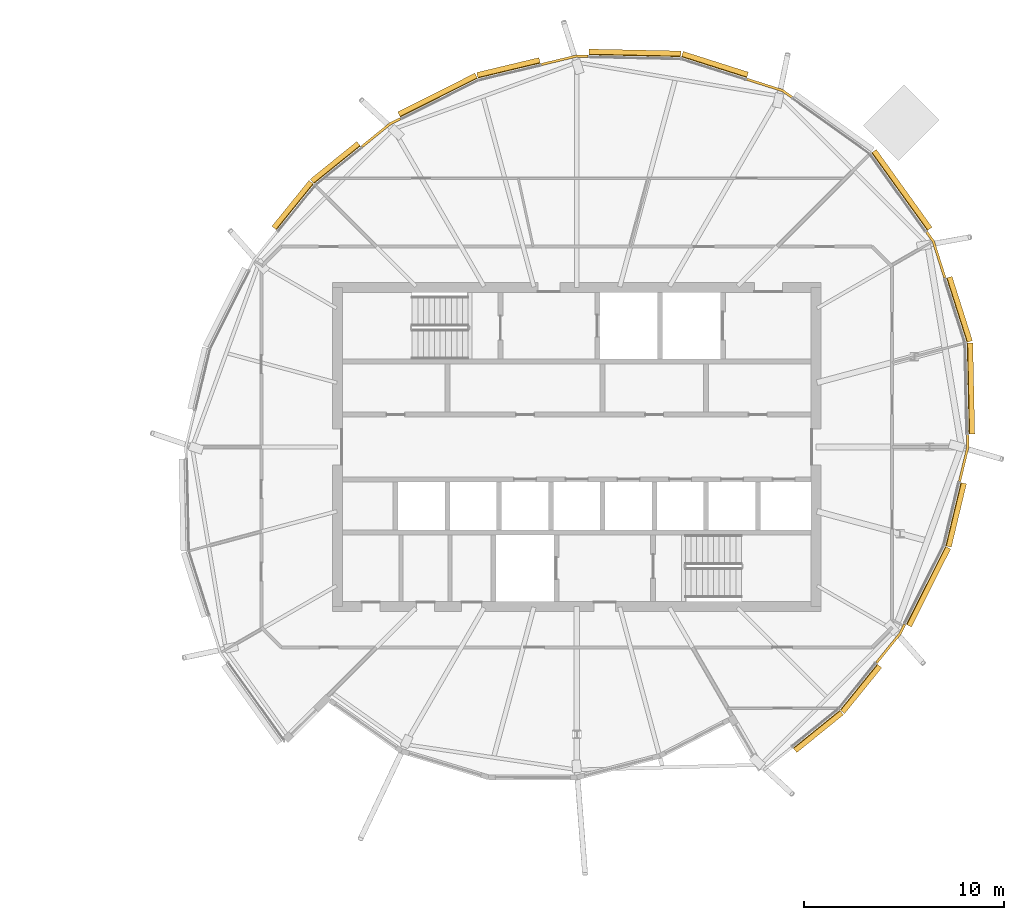
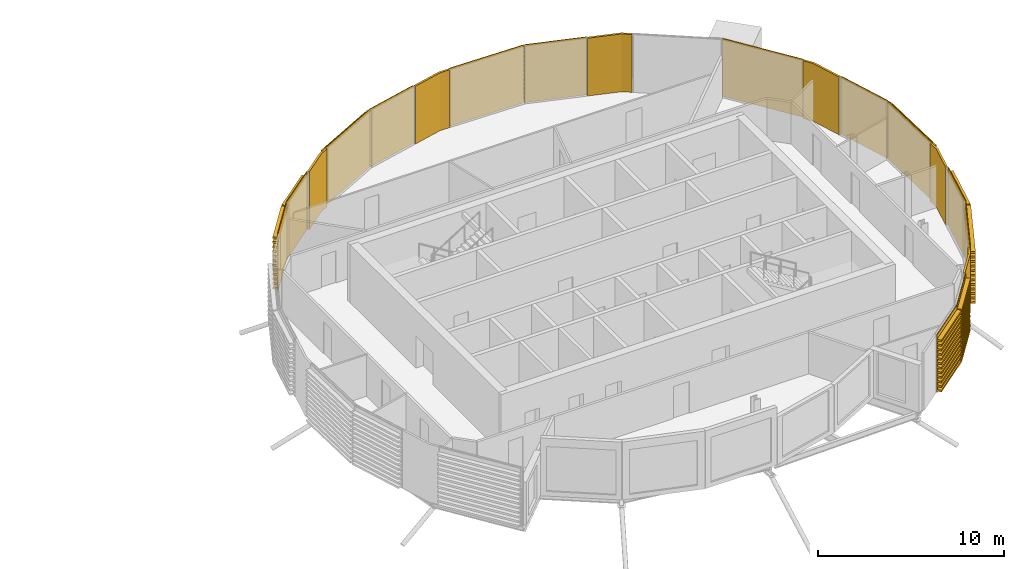
# One storey, part 34 of 35: 19 coverings.
"""IFC4 building model written with IfcOpenShell, lengths in metres."""

from ifc_helpers import new_model, si_unit, direction, frame, origin, place, context, subcontext, project, spatial, polyline, outline, extrude, material, layer, layer_set, material_profile, profile_set, type_object, element, save


model = new_model("IFC4")

# Units and contexts
model_context = context("Model", 3, precision=1e-05, world=origin(), true_north=direction((0.0, 1.0)))
body_context = subcontext(model_context, "Body", "Model", "MODEL_VIEW")
ifc_project = project(units=[si_unit("LENGTHUNIT", "METRE"), si_unit("AREAUNIT", "SQUARE_METRE"), si_unit("VOLUMEUNIT", "CUBIC_METRE"), si_unit("PLANEANGLEUNIT", "RADIAN"), si_unit("MASSUNIT", "GRAM", prefix="KILO")], contexts=[model_context])

# Site, building, storey
site_placement = place(None, origin())
site = spatial("IfcSite", under=ifc_project, at=site_placement, CompositionType="ELEMENT")
building_placement = place(site_placement, origin())
building = spatial("IfcBuilding", under=site, at=building_placement, Name="Rimbun Link Towers", CompositionType="ELEMENT")
storey_placement = place(building_placement, frame((0.0, 0.0, 225.699951171875)))
storey = spatial("IfcBuildingStorey", under=building, at=storey_placement, Name="L55", CompositionType="ELEMENT", Elevation=225.699951171875)

# Coverings
ifc_material_1 = material(Name="Terracotta", Category="masonry")
ifc_layer = layer(ifc_material_1, 0.1201171875)
ifc_layer_set = layer_set([ifc_layer], Name="LINK PIER terracotta cladding 120")
covering_type_1 = type_object("IfcCoveringType", Name="LINK PIER terracotta cladding 120", PredefinedType="CLADDING", material=ifc_layer_set)
covering_1_placement = place(storey_placement, origin())
element("IfcCovering", 1, at=covering_1_placement, inside=storey, type_object=covering_type_1, Name="LINK PIER cladding", PredefinedType="CLADDING", context=body_context, shape_type="SweptSolid", body=[
    extrude(outline(polyline([(40.251953125, 18.37939453125), (42.0341796875, 17.8125), (42.497314453125, 17.480224609375), (42.567138671875, 17.577880859375), (42.088623046875, 17.921142578125), (40.288330078125, 18.49365234375), (40.251953125, 18.37939453125)])), origin(), (0.0, 0.0, 1.0), 3.800048828125),
])
covering_2_placement = place(storey_placement, origin())
element("IfcCovering", 2, at=covering_2_placement, inside=storey, type_object=covering_type_1, Name="LINK PIER cladding", PredefinedType="CLADDING", context=body_context, shape_type="SweptSolid", body=[
    extrude(outline(polyline([(29.97998046875, 19.114013671875), (31.75, 19.537353515625), (32.31982421875, 19.525390625), (32.322509765625, 19.645263671875), (31.737060546875, 19.65771484375), (29.951904296875, 19.230712890625), (29.97998046875, 19.114013671875)])), origin(), (0.0, 0.0, 1.0), 3.800048828125),
])
covering_3_placement = place(storey_placement, origin())
element("IfcCovering", 3, at=covering_3_placement, inside=storey, type_object=covering_type_1, Name="LINK PIER cladding", PredefinedType="CLADDING", context=body_context, shape_type="SweptSolid", body=[
    extrude(outline(polyline([(21.01171875, 15.00390625), (22.42626953125, 16.149169921875), (22.935791015625, 16.40478515625), (22.8818359375, 16.51220703125), (22.36083984375, 16.25048828125), (20.936279296875, 15.097412109375), (21.01171875, 15.00390625)])), origin(), (0.0, 0.0, 1.0), 3.800048828125),
])
covering_4_placement = place(storey_placement, origin())
element("IfcCovering", 4, at=covering_4_placement, inside=storey, type_object=covering_type_1, Name="LINK PIER cladding", PredefinedType="CLADDING", context=body_context, shape_type="SweptSolid", body=[
    extrude(outline(polyline([(48.132568359375, -8.85888671875), (47.899169921875, -9.32373046875), (46.72265625, -10.777099609375), (46.81591796875, -10.852783203125), (48.00048828125, -9.38916015625), (48.23974609375, -8.912841796875), (48.132568359375, -8.85888671875)])), origin(), (0.0, 0.0, 1.0), 3.800048828125),
])
covering_5_placement = place(storey_placement, origin())
element("IfcCovering", 5, at=covering_5_placement, inside=storey, type_object=covering_type_1, Name="LINK PIER cladding", PredefinedType="CLADDING", context=body_context, shape_type="SweptSolid", body=[
    extrude(outline(polyline([(51.274169921875, 0.619873046875), (51.287353515625, 0.0), (50.87548828125, -1.721435546875), (50.9921875, -1.749267578125), (51.40771484375, -0.012939453125), (51.394287109375, 0.622314453125), (51.274169921875, 0.619873046875)])), origin(), (0.0, 0.0, 1.0), 3.800048828125),
])
covering_6_placement = place(storey_placement, origin())
element("IfcCovering", 6, at=covering_6_placement, inside=storey, type_object=covering_type_1, Name="LINK PIER cladding", PredefinedType="CLADDING", context=body_context, shape_type="SweptSolid", body=[
    extrude(outline(polyline([(49.230224609375, 10.747314453125), (49.5625, 10.2841796875), (50.14453125, 8.454345703125), (50.2587890625, 8.49072265625), (49.671142578125, 10.338623046875), (49.327880859375, 10.817138671875), (49.230224609375, 10.747314453125)])), origin(), (0.0, 0.0, 1.0), 3.800048828125),
])
ifc_material_2 = material(Name="Terracotta", Category="masonry")
ifc_material_profile = material_profile(ifc_material_2, outline(polyline([(0.123046875, 0.0), (0.1630859375, 0.0), (0.1630859375, 0.10009765625), (0.423095703125, 0.10009765625), (0.423095703125, 0.219970703125), (0.1630859375, 0.219970703125), (0.1630859375, 0.39990234375), (0.423095703125, 0.39990234375), (0.423095703125, 0.52001953125), (0.1630859375, 0.52001953125), (0.1630859375, 0.699951171875), (0.423095703125, 0.699951171875), (0.423095703125, 0.820068359375), (0.1630859375, 0.820068359375), (0.1630859375, 1.0), (0.423095703125, 1.0), (0.423095703125, 1.1201171875), (0.1630859375, 1.1201171875), (0.1630859375, 1.300048828125), (0.423095703125, 1.300048828125), (0.423095703125, 1.419921875), (0.1630859375, 1.419921875), (0.1630859375, 1.60009765625), (0.423095703125, 1.60009765625), (0.423095703125, 1.719970703125), (0.1630859375, 1.719970703125), (0.1630859375, 1.89990234375), (0.423095703125, 1.89990234375), (0.423095703125, 2.02001953125), (0.1630859375, 2.02001953125), (0.1630859375, 2.199951171875), (0.423095703125, 2.199951171875), (0.423095703125, 2.320068359375), (0.1630859375, 2.320068359375), (0.1630859375, 2.5), (0.423095703125, 2.5), (0.423095703125, 2.6201171875), (0.1630859375, 2.6201171875), (0.1630859375, 2.800048828125), (0.423095703125, 2.800048828125), (0.423095703125, 2.919921875), (0.1630859375, 2.919921875), (0.1630859375, 3.10009765625), (0.423095703125, 3.10009765625), (0.423095703125, 3.219970703125), (0.1630859375, 3.219970703125), (0.1630859375, 3.39990234375), (0.423095703125, 3.39990234375), (0.423095703125, 3.52001953125), (0.1630859375, 3.52001953125), (0.1630859375, 3.800048828125), (0.123046875, 3.800048828125), (0.123046875, 0.0)])), Name="BAGUETTE 120X300")
ifc_profile_set = profile_set([ifc_material_profile], Name="Terracotta")
covering_type_2 = type_object("IfcCoveringType", Name="TERRACOTTA BAGUETTE 120X300 H3800", PredefinedType="CLADDING", material=ifc_profile_set)
covering_7_placement = place(storey_placement, frame((36.95556640625, 19.427490234375, 0.0), z_axis=(0.952984670658, -0.303018510147, 0.0), x_axis=(0.303018510147, 0.952984670658, 0.0)))
element("IfcCovering", 7, at=covering_7_placement, inside=storey, type_object=covering_type_2, Name="TERRACOTTA BAGUETTE", PredefinedType="CLADDING", context=body_context, shape_type="SweptSolid", body=[
    extrude(outline(polyline([(0.123046875, 0.0), (0.1630859375, 0.0), (0.1630859375, 0.10009765625), (0.423095703125, 0.10009765625), (0.423095703125, 0.219970703125), (0.1630859375, 0.219970703125), (0.1630859375, 0.39990234375), (0.423095703125, 0.39990234375), (0.423095703125, 0.52001953125), (0.1630859375, 0.52001953125), (0.1630859375, 0.699951171875), (0.423095703125, 0.699951171875), (0.423095703125, 0.820068359375), (0.1630859375, 0.820068359375), (0.1630859375, 1.0), (0.423095703125, 1.0), (0.423095703125, 1.1201171875), (0.1630859375, 1.1201171875), (0.1630859375, 1.300048828125), (0.423095703125, 1.300048828125), (0.423095703125, 1.419921875), (0.1630859375, 1.419921875), (0.1630859375, 1.60009765625), (0.423095703125, 1.60009765625), (0.423095703125, 1.719970703125), (0.1630859375, 1.719970703125), (0.1630859375, 1.89990234375), (0.423095703125, 1.89990234375), (0.423095703125, 2.02001953125), (0.1630859375, 2.02001953125), (0.1630859375, 2.199951171875), (0.423095703125, 2.199951171875), (0.423095703125, 2.320068359375), (0.1630859375, 2.320068359375), (0.1630859375, 2.5), (0.423095703125, 2.5), (0.423095703125, 2.6201171875), (0.1630859375, 2.6201171875), (0.1630859375, 2.800048828125), (0.423095703125, 2.800048828125), (0.423095703125, 2.919921875), (0.1630859375, 2.919921875), (0.1630859375, 3.10009765625), (0.423095703125, 3.10009765625), (0.423095703125, 3.219970703125), (0.1630859375, 3.219970703125), (0.1630859375, 3.39990234375), (0.423095703125, 3.39990234375), (0.423095703125, 3.52001953125), (0.1630859375, 3.52001953125), (0.1630859375, 3.800048828125), (0.123046875, 3.800048828125), (0.123046875, 0.0)])), origin(), (0.0, 0.0, 1.0), 3.428955078125),
])
covering_8_placement = place(storey_placement, frame((32.349853515625, 19.524658203125, 0.0), z_axis=(0.999777526861, -0.021092576501, 0.0), x_axis=(0.021092576501, 0.999777526861, 0.0)))
element("IfcCovering", 8, at=covering_8_placement, inside=storey, type_object=covering_type_2, Name="TERRACOTTA BAGUETTE", PredefinedType="CLADDING", context=body_context, shape_type="SweptSolid", body=[
    extrude(outline(polyline([(0.123046875, 0.0), (0.1630859375, 0.0), (0.1630859375, 0.10009765625), (0.423095703125, 0.10009765625), (0.423095703125, 0.219970703125), (0.1630859375, 0.219970703125), (0.1630859375, 0.39990234375), (0.423095703125, 0.39990234375), (0.423095703125, 0.52001953125), (0.1630859375, 0.52001953125), (0.1630859375, 0.699951171875), (0.423095703125, 0.699951171875), (0.423095703125, 0.820068359375), (0.1630859375, 0.820068359375), (0.1630859375, 1.0), (0.423095703125, 1.0), (0.423095703125, 1.1201171875), (0.1630859375, 1.1201171875), (0.1630859375, 1.300048828125), (0.423095703125, 1.300048828125), (0.423095703125, 1.419921875), (0.1630859375, 1.419921875), (0.1630859375, 1.60009765625), (0.423095703125, 1.60009765625), (0.423095703125, 1.719970703125), (0.1630859375, 1.719970703125), (0.1630859375, 1.89990234375), (0.423095703125, 1.89990234375), (0.423095703125, 2.02001953125), (0.1630859375, 2.02001953125), (0.1630859375, 2.199951171875), (0.423095703125, 2.199951171875), (0.423095703125, 2.320068359375), (0.1630859375, 2.320068359375), (0.1630859375, 2.5), (0.423095703125, 2.5), (0.423095703125, 2.6201171875), (0.1630859375, 2.6201171875), (0.1630859375, 2.800048828125), (0.423095703125, 2.800048828125), (0.423095703125, 2.919921875), (0.1630859375, 2.919921875), (0.1630859375, 3.10009765625), (0.423095703125, 3.10009765625), (0.423095703125, 3.219970703125), (0.1630859375, 3.219970703125), (0.1630859375, 3.39990234375), (0.423095703125, 3.39990234375), (0.423095703125, 3.52001953125), (0.1630859375, 3.52001953125), (0.1630859375, 3.800048828125), (0.123046875, 3.800048828125), (0.123046875, 0.0)])), origin(), (0.0, 0.0, 1.0), 4.606689453125),
])
covering_9_placement = place(storey_placement, frame((26.830322265625, 18.360595703125, 0.0), z_axis=(0.972567290839, 0.232621720374, 0.0), x_axis=(-0.232621720374, 0.972567290839, 0.0)))
element("IfcCovering", 9, at=covering_9_placement, inside=storey, type_object=covering_type_2, Name="TERRACOTTA BAGUETTE", PredefinedType="CLADDING", context=body_context, shape_type="SweptSolid", body=[
    extrude(outline(polyline([(0.123046875, 0.0), (0.1630859375, 0.0), (0.1630859375, 0.10009765625), (0.423095703125, 0.10009765625), (0.423095703125, 0.219970703125), (0.1630859375, 0.219970703125), (0.1630859375, 0.39990234375), (0.423095703125, 0.39990234375), (0.423095703125, 0.52001953125), (0.1630859375, 0.52001953125), (0.1630859375, 0.699951171875), (0.423095703125, 0.699951171875), (0.423095703125, 0.820068359375), (0.1630859375, 0.820068359375), (0.1630859375, 1.0), (0.423095703125, 1.0), (0.423095703125, 1.1201171875), (0.1630859375, 1.1201171875), (0.1630859375, 1.300048828125), (0.423095703125, 1.300048828125), (0.423095703125, 1.419921875), (0.1630859375, 1.419921875), (0.1630859375, 1.60009765625), (0.423095703125, 1.60009765625), (0.423095703125, 1.719970703125), (0.1630859375, 1.719970703125), (0.1630859375, 1.89990234375), (0.423095703125, 1.89990234375), (0.423095703125, 2.02001953125), (0.1630859375, 2.02001953125), (0.1630859375, 2.199951171875), (0.423095703125, 2.199951171875), (0.423095703125, 2.320068359375), (0.1630859375, 2.320068359375), (0.1630859375, 2.5), (0.423095703125, 2.5), (0.423095703125, 2.6201171875), (0.1630859375, 2.6201171875), (0.1630859375, 2.800048828125), (0.423095703125, 2.800048828125), (0.423095703125, 2.919921875), (0.1630859375, 2.919921875), (0.1630859375, 3.10009765625), (0.423095703125, 3.10009765625), (0.423095703125, 3.219970703125), (0.1630859375, 3.219970703125), (0.1630859375, 3.39990234375), (0.423095703125, 3.39990234375), (0.423095703125, 3.52001953125), (0.1630859375, 3.52001953125), (0.1630859375, 3.800048828125), (0.123046875, 3.800048828125), (0.123046875, 0.0)])), origin(), (0.0, 0.0, 1.0), 3.20849609375),
])
covering_10_placement = place(storey_placement, frame((22.96240234375, 16.41845703125, 0.0), z_axis=(0.893670047864, 0.448724687923, 0.0), x_axis=(-0.448724687923, 0.893670047864, 0.0)))
element("IfcCovering", 10, at=covering_10_placement, inside=storey, type_object=covering_type_2, Name="TERRACOTTA BAGUETTE", PredefinedType="CLADDING", context=body_context, shape_type="SweptSolid", body=[
    extrude(outline(polyline([(0.123046875, 0.0), (0.1630859375, 0.0), (0.1630859375, 0.10009765625), (0.423095703125, 0.10009765625), (0.423095703125, 0.219970703125), (0.1630859375, 0.219970703125), (0.1630859375, 0.39990234375), (0.423095703125, 0.39990234375), (0.423095703125, 0.52001953125), (0.1630859375, 0.52001953125), (0.1630859375, 0.699951171875), (0.423095703125, 0.699951171875), (0.423095703125, 0.820068359375), (0.1630859375, 0.820068359375), (0.1630859375, 1.0), (0.423095703125, 1.0), (0.423095703125, 1.1201171875), (0.1630859375, 1.1201171875), (0.1630859375, 1.300048828125), (0.423095703125, 1.300048828125), (0.423095703125, 1.419921875), (0.1630859375, 1.419921875), (0.1630859375, 1.60009765625), (0.423095703125, 1.60009765625), (0.423095703125, 1.719970703125), (0.1630859375, 1.719970703125), (0.1630859375, 1.89990234375), (0.423095703125, 1.89990234375), (0.423095703125, 2.02001953125), (0.1630859375, 2.02001953125), (0.1630859375, 2.199951171875), (0.423095703125, 2.199951171875), (0.423095703125, 2.320068359375), (0.1630859375, 2.320068359375), (0.1630859375, 2.5), (0.423095703125, 2.5), (0.423095703125, 2.6201171875), (0.1630859375, 2.6201171875), (0.1630859375, 2.800048828125), (0.423095703125, 2.800048828125), (0.423095703125, 2.919921875), (0.1630859375, 2.919921875), (0.1630859375, 3.10009765625), (0.423095703125, 3.10009765625), (0.423095703125, 3.219970703125), (0.1630859375, 3.219970703125), (0.1630859375, 3.39990234375), (0.423095703125, 3.39990234375), (0.423095703125, 3.52001953125), (0.1630859375, 3.52001953125), (0.1630859375, 3.800048828125), (0.123046875, 3.800048828125), (0.123046875, 0.0)])), origin(), (0.0, 0.0, 1.0), 4.328125),
])
covering_11_placement = place(storey_placement, frame((18.654296875, 13.095703125, 0.0), z_axis=(0.777246764037, 0.629195889842, 0.0), x_axis=(-0.629195889842, 0.777246764037, 0.0)))
element("IfcCovering", 11, at=covering_11_placement, inside=storey, type_object=covering_type_2, Name="TERRACOTTA BAGUETTE", PredefinedType="CLADDING", context=body_context, shape_type="SweptSolid", body=[
    extrude(outline(polyline([(0.123046875, 0.0), (0.1630859375, 0.0), (0.1630859375, 0.10009765625), (0.423095703125, 0.10009765625), (0.423095703125, 0.219970703125), (0.1630859375, 0.219970703125), (0.1630859375, 0.39990234375), (0.423095703125, 0.39990234375), (0.423095703125, 0.52001953125), (0.1630859375, 0.52001953125), (0.1630859375, 0.699951171875), (0.423095703125, 0.699951171875), (0.423095703125, 0.820068359375), (0.1630859375, 0.820068359375), (0.1630859375, 1.0), (0.423095703125, 1.0), (0.423095703125, 1.1201171875), (0.1630859375, 1.1201171875), (0.1630859375, 1.300048828125), (0.423095703125, 1.300048828125), (0.423095703125, 1.419921875), (0.1630859375, 1.419921875), (0.1630859375, 1.60009765625), (0.423095703125, 1.60009765625), (0.423095703125, 1.719970703125), (0.1630859375, 1.719970703125), (0.1630859375, 1.89990234375), (0.423095703125, 1.89990234375), (0.423095703125, 2.02001953125), (0.1630859375, 2.02001953125), (0.1630859375, 2.199951171875), (0.423095703125, 2.199951171875), (0.423095703125, 2.320068359375), (0.1630859375, 2.320068359375), (0.1630859375, 2.5), (0.423095703125, 2.5), (0.423095703125, 2.6201171875), (0.1630859375, 2.6201171875), (0.1630859375, 2.800048828125), (0.423095703125, 2.800048828125), (0.423095703125, 2.919921875), (0.1630859375, 2.919921875), (0.1630859375, 3.10009765625), (0.423095703125, 3.10009765625), (0.423095703125, 3.219970703125), (0.1630859375, 3.219970703125), (0.1630859375, 3.39990234375), (0.423095703125, 3.39990234375), (0.423095703125, 3.52001953125), (0.1630859375, 3.52001953125), (0.1630859375, 3.800048828125), (0.123046875, 3.800048828125), (0.123046875, 0.0)])), origin(), (0.0, 0.0, 1.0), 3.0029296875),
])
covering_12_placement = place(storey_placement, frame((16.79638671875, 10.800537109375, 0.0), z_axis=(0.629181579613, 0.777258348219, 0.0), x_axis=(-0.777258348219, 0.629181579613, 0.0)))
element("IfcCovering", 12, at=covering_12_placement, inside=storey, type_object=covering_type_2, Name="TERRACOTTA BAGUETTE", PredefinedType="CLADDING", context=body_context, shape_type="SweptSolid", body=[
    extrude(outline(polyline([(0.123046875, 0.0), (0.1630859375, 0.0), (0.1630859375, 0.10009765625), (0.423095703125, 0.10009765625), (0.423095703125, 0.219970703125), (0.1630859375, 0.219970703125), (0.1630859375, 0.39990234375), (0.423095703125, 0.39990234375), (0.423095703125, 0.52001953125), (0.1630859375, 0.52001953125), (0.1630859375, 0.699951171875), (0.423095703125, 0.699951171875), (0.423095703125, 0.820068359375), (0.1630859375, 0.820068359375), (0.1630859375, 1.0), (0.423095703125, 1.0), (0.423095703125, 1.1201171875), (0.1630859375, 1.1201171875), (0.1630859375, 1.300048828125), (0.423095703125, 1.300048828125), (0.423095703125, 1.419921875), (0.1630859375, 1.419921875), (0.1630859375, 1.60009765625), (0.423095703125, 1.60009765625), (0.423095703125, 1.719970703125), (0.1630859375, 1.719970703125), (0.1630859375, 1.89990234375), (0.423095703125, 1.89990234375), (0.423095703125, 2.02001953125), (0.1630859375, 2.02001953125), (0.1630859375, 2.199951171875), (0.423095703125, 2.199951171875), (0.423095703125, 2.320068359375), (0.1630859375, 2.320068359375), (0.1630859375, 2.5), (0.423095703125, 2.5), (0.423095703125, 2.6201171875), (0.1630859375, 2.6201171875), (0.1630859375, 2.800048828125), (0.423095703125, 2.800048828125), (0.423095703125, 2.919921875), (0.1630859375, 2.919921875), (0.1630859375, 3.10009765625), (0.423095703125, 3.10009765625), (0.423095703125, 3.219970703125), (0.1630859375, 3.219970703125), (0.1630859375, 3.39990234375), (0.423095703125, 3.39990234375), (0.423095703125, 3.52001953125), (0.1630859375, 3.52001953125), (0.1630859375, 3.800048828125), (0.123046875, 3.800048828125), (0.123046875, 0.0)])), origin(), (0.0, 0.0, 1.0), 2.952880859375),
])
covering_13_placement = place(storey_placement, frame((44.845703125, -13.095703125, 0.0), z_axis=(-0.777246764037, -0.629195889842, 0.0), x_axis=(0.629195889842, -0.777246764037, 0.0)))
element("IfcCovering", 13, at=covering_13_placement, inside=storey, type_object=covering_type_2, Name="TERRACOTTA BAGUETTE", PredefinedType="CLADDING", context=body_context, shape_type="SweptSolid", body=[
    extrude(outline(polyline([(0.123046875, 0.0), (0.1630859375, 0.0), (0.1630859375, 0.10009765625), (0.423095703125, 0.10009765625), (0.423095703125, 0.219970703125), (0.1630859375, 0.219970703125), (0.1630859375, 0.39990234375), (0.423095703125, 0.39990234375), (0.423095703125, 0.52001953125), (0.1630859375, 0.52001953125), (0.1630859375, 0.699951171875), (0.423095703125, 0.699951171875), (0.423095703125, 0.820068359375), (0.1630859375, 0.820068359375), (0.1630859375, 1.0), (0.423095703125, 1.0), (0.423095703125, 1.1201171875), (0.1630859375, 1.1201171875), (0.1630859375, 1.300048828125), (0.423095703125, 1.300048828125), (0.423095703125, 1.419921875), (0.1630859375, 1.419921875), (0.1630859375, 1.60009765625), (0.423095703125, 1.60009765625), (0.423095703125, 1.719970703125), (0.1630859375, 1.719970703125), (0.1630859375, 1.89990234375), (0.423095703125, 1.89990234375), (0.423095703125, 2.02001953125), (0.1630859375, 2.02001953125), (0.1630859375, 2.199951171875), (0.423095703125, 2.199951171875), (0.423095703125, 2.320068359375), (0.1630859375, 2.320068359375), (0.1630859375, 2.5), (0.423095703125, 2.5), (0.423095703125, 2.6201171875), (0.1630859375, 2.6201171875), (0.1630859375, 2.800048828125), (0.423095703125, 2.800048828125), (0.423095703125, 2.919921875), (0.1630859375, 2.919921875), (0.1630859375, 3.10009765625), (0.423095703125, 3.10009765625), (0.423095703125, 3.219970703125), (0.1630859375, 3.219970703125), (0.1630859375, 3.39990234375), (0.423095703125, 3.39990234375), (0.423095703125, 3.52001953125), (0.1630859375, 3.52001953125), (0.1630859375, 3.800048828125), (0.123046875, 3.800048828125), (0.123046875, 0.0)])), origin(), (0.0, 0.0, 1.0), 3.0029296875),
])
covering_14_placement = place(storey_placement, frame((46.70361328125, -10.800537109375, 0.0), z_axis=(-0.629181579613, -0.777258348219, 0.0), x_axis=(0.777258348219, -0.629181579613, 0.0)))
element("IfcCovering", 14, at=covering_14_placement, inside=storey, type_object=covering_type_2, Name="TERRACOTTA BAGUETTE", PredefinedType="CLADDING", context=body_context, shape_type="SweptSolid", body=[
    extrude(outline(polyline([(0.123046875, 0.0), (0.1630859375, 0.0), (0.1630859375, 0.10009765625), (0.423095703125, 0.10009765625), (0.423095703125, 0.219970703125), (0.1630859375, 0.219970703125), (0.1630859375, 0.39990234375), (0.423095703125, 0.39990234375), (0.423095703125, 0.52001953125), (0.1630859375, 0.52001953125), (0.1630859375, 0.699951171875), (0.423095703125, 0.699951171875), (0.423095703125, 0.820068359375), (0.1630859375, 0.820068359375), (0.1630859375, 1.0), (0.423095703125, 1.0), (0.423095703125, 1.1201171875), (0.1630859375, 1.1201171875), (0.1630859375, 1.300048828125), (0.423095703125, 1.300048828125), (0.423095703125, 1.419921875), (0.1630859375, 1.419921875), (0.1630859375, 1.60009765625), (0.423095703125, 1.60009765625), (0.423095703125, 1.719970703125), (0.1630859375, 1.719970703125), (0.1630859375, 1.89990234375), (0.423095703125, 1.89990234375), (0.423095703125, 2.02001953125), (0.1630859375, 2.02001953125), (0.1630859375, 2.199951171875), (0.423095703125, 2.199951171875), (0.423095703125, 2.320068359375), (0.1630859375, 2.320068359375), (0.1630859375, 2.5), (0.423095703125, 2.5), (0.423095703125, 2.6201171875), (0.1630859375, 2.6201171875), (0.1630859375, 2.800048828125), (0.423095703125, 2.800048828125), (0.423095703125, 2.919921875), (0.1630859375, 2.919921875), (0.1630859375, 3.10009765625), (0.423095703125, 3.10009765625), (0.423095703125, 3.219970703125), (0.1630859375, 3.219970703125), (0.1630859375, 3.39990234375), (0.423095703125, 3.39990234375), (0.423095703125, 3.52001953125), (0.1630859375, 3.52001953125), (0.1630859375, 3.800048828125), (0.123046875, 3.800048828125), (0.123046875, 0.0)])), origin(), (0.0, 0.0, 1.0), 2.952880859375),
])
covering_15_placement = place(storey_placement, frame((50.110595703125, -4.919677734375, 0.0), z_axis=(-0.448729722497, -0.893667519913, 0.0), x_axis=(0.893667519913, -0.448729722497, 0.0)))
element("IfcCovering", 15, at=covering_15_placement, inside=storey, type_object=covering_type_2, Name="TERRACOTTA BAGUETTE", PredefinedType="CLADDING", context=body_context, shape_type="SweptSolid", body=[
    extrude(outline(polyline([(0.123046875, 0.0), (0.1630859375, 0.0), (0.1630859375, 0.10009765625), (0.423095703125, 0.10009765625), (0.423095703125, 0.219970703125), (0.1630859375, 0.219970703125), (0.1630859375, 0.39990234375), (0.423095703125, 0.39990234375), (0.423095703125, 0.52001953125), (0.1630859375, 0.52001953125), (0.1630859375, 0.699951171875), (0.423095703125, 0.699951171875), (0.423095703125, 0.820068359375), (0.1630859375, 0.820068359375), (0.1630859375, 1.0), (0.423095703125, 1.0), (0.423095703125, 1.1201171875), (0.1630859375, 1.1201171875), (0.1630859375, 1.300048828125), (0.423095703125, 1.300048828125), (0.423095703125, 1.419921875), (0.1630859375, 1.419921875), (0.1630859375, 1.60009765625), (0.423095703125, 1.60009765625), (0.423095703125, 1.719970703125), (0.1630859375, 1.719970703125), (0.1630859375, 1.89990234375), (0.423095703125, 1.89990234375), (0.423095703125, 2.02001953125), (0.1630859375, 2.02001953125), (0.1630859375, 2.199951171875), (0.423095703125, 2.199951171875), (0.423095703125, 2.320068359375), (0.1630859375, 2.320068359375), (0.1630859375, 2.5), (0.423095703125, 2.5), (0.423095703125, 2.6201171875), (0.1630859375, 2.6201171875), (0.1630859375, 2.800048828125), (0.423095703125, 2.800048828125), (0.423095703125, 2.919921875), (0.1630859375, 2.919921875), (0.1630859375, 3.10009765625), (0.423095703125, 3.10009765625), (0.423095703125, 3.219970703125), (0.1630859375, 3.219970703125), (0.1630859375, 3.39990234375), (0.423095703125, 3.39990234375), (0.423095703125, 3.52001953125), (0.1630859375, 3.52001953125), (0.1630859375, 3.800048828125), (0.123046875, 3.800048828125), (0.123046875, 0.0)])), origin(), (0.0, 0.0, 1.0), 4.378173828125),
])
covering_16_placement = place(storey_placement, frame((50.86865234375, -1.750732421875, 0.0), z_axis=(-0.232650250274, -0.972560466525, 0.0), x_axis=(0.972560466525, -0.232650250274, 0.0)))
element("IfcCovering", 16, at=covering_16_placement, inside=storey, type_object=covering_type_2, Name="TERRACOTTA BAGUETTE", PredefinedType="CLADDING", context=body_context, shape_type="SweptSolid", body=[
    extrude(outline(polyline([(0.123046875, 0.0), (0.1630859375, 0.0), (0.1630859375, 0.10009765625), (0.423095703125, 0.10009765625), (0.423095703125, 0.219970703125), (0.1630859375, 0.219970703125), (0.1630859375, 0.39990234375), (0.423095703125, 0.39990234375), (0.423095703125, 0.52001953125), (0.1630859375, 0.52001953125), (0.1630859375, 0.699951171875), (0.423095703125, 0.699951171875), (0.423095703125, 0.820068359375), (0.1630859375, 0.820068359375), (0.1630859375, 1.0), (0.423095703125, 1.0), (0.423095703125, 1.1201171875), (0.1630859375, 1.1201171875), (0.1630859375, 1.300048828125), (0.423095703125, 1.300048828125), (0.423095703125, 1.419921875), (0.1630859375, 1.419921875), (0.1630859375, 1.60009765625), (0.423095703125, 1.60009765625), (0.423095703125, 1.719970703125), (0.1630859375, 1.719970703125), (0.1630859375, 1.89990234375), (0.423095703125, 1.89990234375), (0.423095703125, 2.02001953125), (0.1630859375, 2.02001953125), (0.1630859375, 2.199951171875), (0.423095703125, 2.199951171875), (0.423095703125, 2.320068359375), (0.1630859375, 2.320068359375), (0.1630859375, 2.5), (0.423095703125, 2.5), (0.423095703125, 2.6201171875), (0.1630859375, 2.6201171875), (0.1630859375, 2.800048828125), (0.423095703125, 2.800048828125), (0.423095703125, 2.919921875), (0.1630859375, 2.919921875), (0.1630859375, 3.10009765625), (0.423095703125, 3.10009765625), (0.423095703125, 3.219970703125), (0.1630859375, 3.219970703125), (0.1630859375, 3.39990234375), (0.423095703125, 3.39990234375), (0.423095703125, 3.52001953125), (0.1630859375, 3.52001953125), (0.1630859375, 3.800048828125), (0.123046875, 3.800048828125), (0.123046875, 0.0)])), origin(), (0.0, 0.0, 1.0), 3.25830078125),
])
covering_17_placement = place(storey_placement, frame((51.177490234375, 5.20556640625, 0.0), z_axis=(0.02110997861, -0.999777159573, 0.0), x_axis=(0.999777159573, 0.02110997861, 0.0)))
element("IfcCovering", 17, at=covering_17_placement, inside=storey, type_object=covering_type_2, Name="TERRACOTTA BAGUETTE", PredefinedType="CLADDING", context=body_context, shape_type="SweptSolid", body=[
    extrude(outline(polyline([(0.123046875, 0.0), (0.1630859375, 0.0), (0.1630859375, 0.10009765625), (0.423095703125, 0.10009765625), (0.423095703125, 0.219970703125), (0.1630859375, 0.219970703125), (0.1630859375, 0.39990234375), (0.423095703125, 0.39990234375), (0.423095703125, 0.52001953125), (0.1630859375, 0.52001953125), (0.1630859375, 0.699951171875), (0.423095703125, 0.699951171875), (0.423095703125, 0.820068359375), (0.1630859375, 0.820068359375), (0.1630859375, 1.0), (0.423095703125, 1.0), (0.423095703125, 1.1201171875), (0.1630859375, 1.1201171875), (0.1630859375, 1.300048828125), (0.423095703125, 1.300048828125), (0.423095703125, 1.419921875), (0.1630859375, 1.419921875), (0.1630859375, 1.60009765625), (0.423095703125, 1.60009765625), (0.423095703125, 1.719970703125), (0.1630859375, 1.719970703125), (0.1630859375, 1.89990234375), (0.423095703125, 1.89990234375), (0.423095703125, 2.02001953125), (0.1630859375, 2.02001953125), (0.1630859375, 2.199951171875), (0.423095703125, 2.199951171875), (0.423095703125, 2.320068359375), (0.1630859375, 2.320068359375), (0.1630859375, 2.5), (0.423095703125, 2.5), (0.423095703125, 2.6201171875), (0.1630859375, 2.6201171875), (0.1630859375, 2.800048828125), (0.423095703125, 2.800048828125), (0.423095703125, 2.919921875), (0.1630859375, 2.919921875), (0.1630859375, 3.10009765625), (0.423095703125, 3.10009765625), (0.423095703125, 3.219970703125), (0.1630859375, 3.219970703125), (0.1630859375, 3.39990234375), (0.423095703125, 3.39990234375), (0.423095703125, 3.52001953125), (0.1630859375, 3.52001953125), (0.1630859375, 3.800048828125), (0.123046875, 3.800048828125), (0.123046875, 0.0)])), origin(), (0.0, 0.0, 1.0), 4.556640625),
])
covering_18_placement = place(storey_placement, frame((50.153564453125, 8.42578125, 0.0), z_axis=(0.303018755259, -0.95298459272, 0.0), x_axis=(0.95298459272, 0.303018755259, 0.0)))
element("IfcCovering", 18, at=covering_18_placement, inside=storey, type_object=covering_type_2, Name="TERRACOTTA BAGUETTE", PredefinedType="CLADDING", context=body_context, shape_type="SweptSolid", body=[
    extrude(outline(polyline([(0.123046875, 0.0), (0.1630859375, 0.0), (0.1630859375, 0.10009765625), (0.423095703125, 0.10009765625), (0.423095703125, 0.219970703125), (0.1630859375, 0.219970703125), (0.1630859375, 0.39990234375), (0.423095703125, 0.39990234375), (0.423095703125, 0.52001953125), (0.1630859375, 0.52001953125), (0.1630859375, 0.699951171875), (0.423095703125, 0.699951171875), (0.423095703125, 0.820068359375), (0.1630859375, 0.820068359375), (0.1630859375, 1.0), (0.423095703125, 1.0), (0.423095703125, 1.1201171875), (0.1630859375, 1.1201171875), (0.1630859375, 1.300048828125), (0.423095703125, 1.300048828125), (0.423095703125, 1.419921875), (0.1630859375, 1.419921875), (0.1630859375, 1.60009765625), (0.423095703125, 1.60009765625), (0.423095703125, 1.719970703125), (0.1630859375, 1.719970703125), (0.1630859375, 1.89990234375), (0.423095703125, 1.89990234375), (0.423095703125, 2.02001953125), (0.1630859375, 2.02001953125), (0.1630859375, 2.199951171875), (0.423095703125, 2.199951171875), (0.423095703125, 2.320068359375), (0.1630859375, 2.320068359375), (0.1630859375, 2.5), (0.423095703125, 2.5), (0.423095703125, 2.6201171875), (0.1630859375, 2.6201171875), (0.1630859375, 2.800048828125), (0.423095703125, 2.800048828125), (0.423095703125, 2.919921875), (0.1630859375, 2.919921875), (0.1630859375, 3.10009765625), (0.423095703125, 3.10009765625), (0.423095703125, 3.219970703125), (0.1630859375, 3.219970703125), (0.1630859375, 3.39990234375), (0.423095703125, 3.39990234375), (0.423095703125, 3.52001953125), (0.1630859375, 3.52001953125), (0.1630859375, 3.800048828125), (0.123046875, 3.800048828125), (0.123046875, 0.0)])), origin(), (0.0, 0.0, 1.0), 3.379150390625),
])
covering_19_placement = place(storey_placement, frame((46.417236328125, 14.667236328125, 0.0), z_axis=(0.583028444811, -0.812451741669, 0.0), x_axis=(0.812451741669, 0.583028444811, 0.0)))
element("IfcCovering", 19, at=covering_19_placement, inside=storey, type_object=covering_type_2, Name="TERRACOTTA BAGUETTE", PredefinedType="CLADDING", context=body_context, shape_type="SweptSolid", body=[
    extrude(outline(polyline([(0.123046875, 0.0), (0.1630859375, 0.0), (0.1630859375, 0.10009765625), (0.423095703125, 0.10009765625), (0.423095703125, 0.219970703125), (0.1630859375, 0.219970703125), (0.1630859375, 0.39990234375), (0.423095703125, 0.39990234375), (0.423095703125, 0.52001953125), (0.1630859375, 0.52001953125), (0.1630859375, 0.699951171875), (0.423095703125, 0.699951171875), (0.423095703125, 0.820068359375), (0.1630859375, 0.820068359375), (0.1630859375, 1.0), (0.423095703125, 1.0), (0.423095703125, 1.1201171875), (0.1630859375, 1.1201171875), (0.1630859375, 1.300048828125), (0.423095703125, 1.300048828125), (0.423095703125, 1.419921875), (0.1630859375, 1.419921875), (0.1630859375, 1.60009765625), (0.423095703125, 1.60009765625), (0.423095703125, 1.719970703125), (0.1630859375, 1.719970703125), (0.1630859375, 1.89990234375), (0.423095703125, 1.89990234375), (0.423095703125, 2.02001953125), (0.1630859375, 2.02001953125), (0.1630859375, 2.199951171875), (0.423095703125, 2.199951171875), (0.423095703125, 2.320068359375), (0.1630859375, 2.320068359375), (0.1630859375, 2.5), (0.423095703125, 2.5), (0.423095703125, 2.6201171875), (0.1630859375, 2.6201171875), (0.1630859375, 2.800048828125), (0.423095703125, 2.800048828125), (0.423095703125, 2.919921875), (0.1630859375, 2.919921875), (0.1630859375, 3.10009765625), (0.423095703125, 3.10009765625), (0.423095703125, 3.219970703125), (0.1630859375, 3.219970703125), (0.1630859375, 3.39990234375), (0.423095703125, 3.39990234375), (0.423095703125, 3.52001953125), (0.1630859375, 3.52001953125), (0.1630859375, 3.800048828125), (0.123046875, 3.800048828125), (0.123046875, 0.0)])), origin(), (0.0, 0.0, 1.0), 4.795166015625),
])

save(model, "model.ifc")
